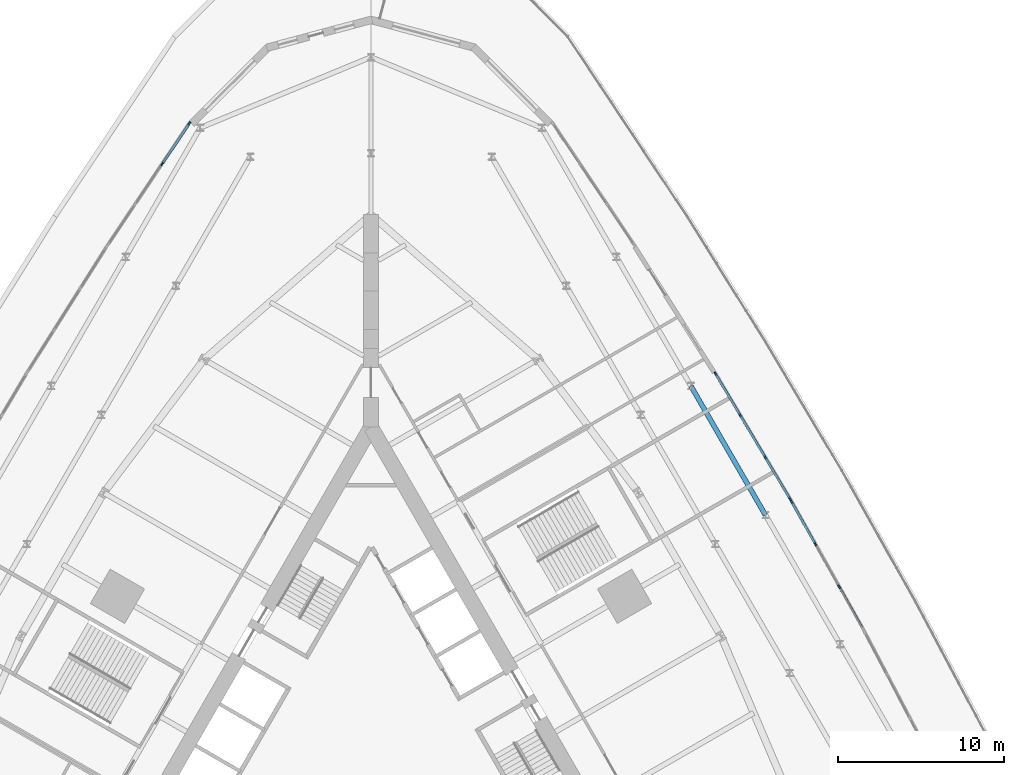
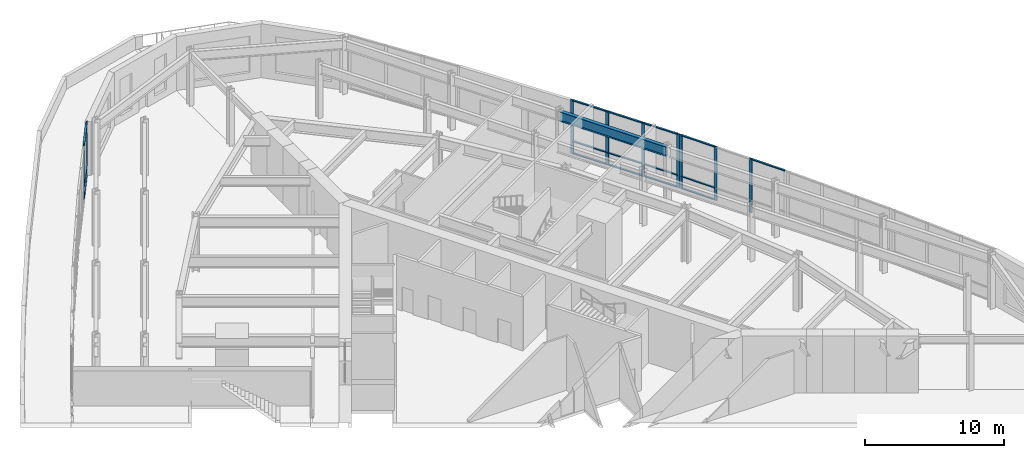
# One storey, part 8 of 20: 25 members, 1 beam, 3 elements without a shape of their own.
"""IFC4 building model written with IfcOpenShell, lengths in metres."""

from ifc_helpers import new_model, si_unit, direction, frame, origin, origin_2d, place, context, subcontext, project, spatial, rectangle, i_section, extrude, material, material_profile, profile_set, type_object, element, aggregate, save


model = new_model("IFC4")

# Units and contexts
model_context = context("Model", 3, precision=1e-05, world=origin(), true_north=direction((0.0, 1.0)))
body_context = subcontext(model_context, "Body", "Model", "MODEL_VIEW")
ifc_project = project(units=[si_unit("LENGTHUNIT", "METRE"), si_unit("AREAUNIT", "SQUARE_METRE"), si_unit("VOLUMEUNIT", "CUBIC_METRE"), si_unit("PLANEANGLEUNIT", "RADIAN"), si_unit("MASSUNIT", "GRAM", prefix="KILO")], contexts=[model_context])

# Site, building, storey
site_placement = place(None, origin())
site = spatial("IfcSite", under=ifc_project, at=site_placement, CompositionType="ELEMENT")
building_placement = place(site_placement, origin())
building = spatial("IfcBuilding", under=site, at=building_placement, Name="Trikona Tower", CompositionType="ELEMENT")
storey_placement = place(building_placement, frame((0.0, 0.0, 6.0)))
storey = spatial("IfcBuildingStorey", under=building, at=storey_placement, Name="L01", CompositionType="ELEMENT", Elevation=6.0)

# Curtain wall, members
ifc_material_1 = material(Name="Aluminium curtain wall system", Category="aluminium")
curtain_wall_type = type_object("IfcCurtainWallType", Name="Curtain wall PD", PredefinedType="NOTDEFINED", material=ifc_material_1)
curtain_wall_1_placement = place(storey_placement, origin())
curtain_wall_1 = element("IfcCurtainWall", 1, at=curtain_wall_1_placement, inside=storey, type_object=curtain_wall_type, Name="Curtain wall PD L01", PredefinedType="NOTDEFINED")
ifc_material_2 = material(Name="Aluminium mullion, pale anodised", Category="aluminium")
ifc_material_profile_1 = material_profile(ifc_material_2, rectangle(XDim=0.090087890625, YDim=0.25, at=origin_2d()), Name="MUL-PD")
ifc_profile_set_1 = profile_set([ifc_material_profile_1], Name="Aluminium mullion, pale anodised")
member_type_1 = type_object("IfcMemberType", Name="Mullion PD 90x250", PredefinedType="MULLION", material=ifc_profile_set_1)
member_1_placement = place(storey_placement, frame((28.26904296875, 9.41748046875, 0.0), z_axis=(0.0, 0.0, 1.0), x_axis=(-0.872612562908, -0.488413057825, 0.0)))
member_1 = element("IfcMember", 2, at=member_1_placement, type_object=member_type_1, Name="CW-PD mullion 2", PredefinedType="MULLION", context=body_context, shape_type="SweptSolid", body=[
    extrude(rectangle(XDim=0.090087890625, YDim=0.25, at=origin_2d()), origin(), (0.0, 0.0, 1.0), 4.75),
])
member_2_placement = place(storey_placement, frame((26.8232421875, 12.000732421875, 0.0), z_axis=(0.0, 0.0, 1.0), x_axis=(-0.872612562908, -0.488413057825, 0.0)))
member_2 = element("IfcMember", 3, at=member_2_placement, type_object=member_type_1, Name="CW-PD mullion 3", PredefinedType="MULLION", context=body_context, shape_type="SweptSolid", body=[
    extrude(rectangle(XDim=0.090087890625, YDim=0.25, at=origin_2d()), origin(), (0.0, 0.0, 1.0), 4.75),
])
member_3_placement = place(storey_placement, frame((25.399169921875, 14.544677734375, 0.0), z_axis=(0.0, 0.0, 1.0), x_axis=(-0.872612562908, -0.488413057825, 0.0)))
member_3 = element("IfcMember", 4, at=member_3_placement, type_object=member_type_1, Name="CW-PD mullion 4", PredefinedType="MULLION", context=body_context, shape_type="SweptSolid", body=[
    extrude(rectangle(XDim=0.090087890625, YDim=0.25, at=origin_2d()), origin(), (0.0, 0.0, 1.0), 4.75),
])

curtain_wall_2_placement = place(storey_placement, origin())
curtain_wall_2 = element("IfcCurtainWall", 5, at=curtain_wall_2_placement, inside=storey, type_object=curtain_wall_type, Name="Curtain wall PD L01", PredefinedType="NOTDEFINED")
member_4_placement = place(storey_placement, frame((25.295654296875, 14.72412109375, 0.0), z_axis=(0.0, 0.0, 1.0), x_axis=(-0.859284046673, -0.511498706873, 0.0)))
member_4 = element("IfcMember", 6, at=member_4_placement, type_object=member_type_1, Name="CW-PD mullion 1", PredefinedType="MULLION", context=body_context, shape_type="SweptSolid", body=[
    extrude(rectangle(XDim=0.090087890625, YDim=0.25, at=origin_2d()), origin(), (0.0, 0.0, 1.0), 4.75),
])
member_5_placement = place(storey_placement, frame((23.804443359375, 17.229248046875, 0.0), z_axis=(0.0, 0.0, 1.0), x_axis=(-0.859284046673, -0.511498706873, 0.0)))
member_5 = element("IfcMember", 7, at=member_5_placement, type_object=member_type_1, Name="CW-PD mullion 2", PredefinedType="MULLION", context=body_context, shape_type="SweptSolid", body=[
    extrude(rectangle(XDim=0.090087890625, YDim=0.25, at=origin_2d()), origin(), (0.0, 0.0, 1.0), 4.75),
])
member_6_placement = place(storey_placement, frame((22.290283203125, 19.77294921875, 0.0), z_axis=(0.0, 0.0, 1.0), x_axis=(-0.859284046673, -0.511498706873, 0.0)))
member_6 = element("IfcMember", 8, at=member_6_placement, type_object=member_type_1, Name="CW-PD mullion 3", PredefinedType="MULLION", context=body_context, shape_type="SweptSolid", body=[
    extrude(rectangle(XDim=0.090087890625, YDim=0.25, at=origin_2d()), origin(), (0.0, 0.0, 1.0), 4.75),
])
member_7_placement = place(storey_placement, frame((20.79931640625, 22.27783203125, 0.0), z_axis=(0.0, 0.0, 1.0), x_axis=(-0.859284046673, -0.511498706873, 0.0)))
member_7 = element("IfcMember", 9, at=member_7_placement, type_object=member_type_1, Name="CW-PD mullion 4", PredefinedType="MULLION", context=body_context, shape_type="SweptSolid", body=[
    extrude(rectangle(XDim=0.090087890625, YDim=0.25, at=origin_2d()), origin(), (0.0, 0.0, 1.0), 4.75),
])

curtain_wall_3_placement = place(storey_placement, origin())
curtain_wall_3 = element("IfcCurtainWall", 10, at=curtain_wall_3_placement, inside=storey, type_object=curtain_wall_type, Name="Curtain wall PD L01", PredefinedType="NOTDEFINED")
member_8_placement = place(storey_placement, frame((-10.975341796875, 37.385009765625, 0.0), z_axis=(0.0, 0.0, 1.0), x_axis=(0.830852165155, -0.556493198213, 0.0)))
member_8 = element("IfcMember", 11, at=member_8_placement, type_object=member_type_1, Name="CW-PD mullion 1", PredefinedType="MULLION", context=body_context, shape_type="SweptSolid", body=[
    extrude(rectangle(XDim=0.090087890625, YDim=0.25, at=origin_2d()), origin(), (0.0, 0.0, 1.0), 4.75),
])
member_9_placement = place(storey_placement, frame((-12.601318359375, 34.95751953125, 0.0), z_axis=(0.0, 0.0, 1.0), x_axis=(0.830852165155, -0.556493198213, 0.0)))
member_9 = element("IfcMember", 12, at=member_9_placement, type_object=member_type_1, Name="CW-PD mullion 2", PredefinedType="MULLION", context=body_context, shape_type="SweptSolid", body=[
    extrude(rectangle(XDim=0.090087890625, YDim=0.25, at=origin_2d()), origin(), (0.0, 0.0, 1.0), 4.75),
])

# Beam
ifc_material_3 = material(Name="Steel ASTM A992 Grade 50", Category="steel")
ifc_material_profile_2 = material_profile(ifc_material_3, i_section(OverallWidth=0.2919921875, OverallDepth=0.845703125, WebThickness=0.015380859375, FlangeThickness=0.0244140625, at=origin_2d()), Name="W33X141")
ifc_profile_set_2 = profile_set([ifc_material_profile_2], Name="Steel ASTM A992 Grade 50")
beam_type = type_object("IfcBeamType", Name="Steel beam W33x141 (pod girder)", PredefinedType="BEAM", material=ifc_profile_set_2)
beam_placement = place(storey_placement, frame((23.815673828125, 13.75, 4.3271484375), z_axis=(-0.5000018851, 0.866024315419, 0.0), x_axis=(-0.866024315419, -0.5000018851, 0.0)))
element("IfcBeam", 13, at=beam_placement, inside=storey, type_object=beam_type, Name="Podium beam L02 GR27.5F1p0-R27.5F1p9", PredefinedType="BEAM", context=body_context, shape_type="SweptSolid", body=[
    extrude(i_section(OverallWidth=0.2919921875, OverallDepth=0.845703125, WebThickness=0.015380859375, FlangeThickness=0.0244140625, at=origin_2d()), origin(), (0.0, 0.0, 1.0), 9.0),
])

# Member
ifc_material_4 = material(Name="Aluminium transom, pale anodised", Category="aluminium")
ifc_material_profile_3 = material_profile(ifc_material_4, rectangle(XDim=0.14990234375, YDim=0.090087890625, at=origin_2d()), Name="TRN-PD")
ifc_profile_set_3 = profile_set([ifc_material_profile_3], Name="Aluminium transom, pale anodised")
member_type_2 = type_object("IfcMemberType", Name="Transom PD 90x150", PredefinedType="USERDEFINED", material=ifc_profile_set_3)
member_10_placement = place(storey_placement, frame((29.6708984375, 6.912841796875, 4.705078125), z_axis=(-0.48837707133, 0.872632704062, 0.0), x_axis=(-0.872632704062, -0.48837707133, 0.0)))
member_10 = element("IfcMember", 14, at=member_10_placement, type_object=member_type_2, Name="CW-PD transom 1.3", ObjectType="TRANSOM", PredefinedType="USERDEFINED", context=body_context, shape_type="SweptSolid", body=[
    extrude(rectangle(XDim=0.14990234375, YDim=0.090087890625, at=origin_2d()), origin(), (0.0, 0.0, 1.0), 2.825439453125),
])

member_11_placement = place(storey_placement, frame((26.80126953125, 12.0400390625, 0.044921875), z_axis=(-0.488479694628, 0.872575262047, 0.0), x_axis=(-0.872575262047, -0.488479694628, 0.0)))
member_11 = element("IfcMember", 15, at=member_11_placement, type_object=member_type_2, Name="CW-PD transom 3.1", ObjectType="TRANSOM", PredefinedType="USERDEFINED", context=body_context, shape_type="SweptSolid", body=[
    extrude(rectangle(XDim=0.14990234375, YDim=0.090087890625, at=origin_2d()), origin(), (0.0, 0.0, 1.0), 2.825439453125),
])

member_12_placement = place(storey_placement, frame((26.80126953125, 12.0400390625, 1.10009765625), z_axis=(-0.488479694628, 0.872575262047, 0.0), x_axis=(-0.872575262047, -0.488479694628, 0.0)))
member_12 = element("IfcMember", 16, at=member_12_placement, type_object=member_type_2, Name="CW-PD transom 3.2", ObjectType="TRANSOM", PredefinedType="USERDEFINED", context=body_context, shape_type="SweptSolid", body=[
    extrude(rectangle(XDim=0.14990234375, YDim=0.090087890625, at=origin_2d()), origin(), (0.0, 0.0, 1.0), 2.825439453125),
])

member_13_placement = place(storey_placement, frame((26.80126953125, 12.0400390625, 4.705078125), z_axis=(-0.488479694628, 0.872575262047, 0.0), x_axis=(-0.872575262047, -0.488479694628, 0.0)))
member_13 = element("IfcMember", 17, at=member_13_placement, type_object=member_type_2, Name="CW-PD transom 3.3", ObjectType="TRANSOM", PredefinedType="USERDEFINED", context=body_context, shape_type="SweptSolid", body=[
    extrude(rectangle(XDim=0.14990234375, YDim=0.090087890625, at=origin_2d()), origin(), (0.0, 0.0, 1.0), 2.825439453125),
])

aggregate(curtain_wall_1, [member_1, member_2, member_3, member_10, member_11, member_12, member_13])

member_14_placement = place(storey_placement, frame((25.272705078125, 14.762939453125, 0.044921875), z_axis=(-0.511518803475, 0.859272083621, 0.0), x_axis=(-0.859272083621, -0.511518803475, 0.0)))
member_14 = element("IfcMember", 18, at=member_14_placement, type_object=member_type_2, Name="CW-PD transom 1.1", ObjectType="TRANSOM", PredefinedType="USERDEFINED", context=body_context, shape_type="SweptSolid", body=[
    extrude(rectangle(XDim=0.14990234375, YDim=0.090087890625, at=origin_2d()), origin(), (0.0, 0.0, 1.0), 2.824951171875),
])

member_15_placement = place(storey_placement, frame((25.272705078125, 14.762939453125, 1.10009765625), z_axis=(-0.511518803475, 0.859272083621, 0.0), x_axis=(-0.859272083621, -0.511518803475, 0.0)))
member_15 = element("IfcMember", 19, at=member_15_placement, type_object=member_type_2, Name="CW-PD transom 1.2", ObjectType="TRANSOM", PredefinedType="USERDEFINED", context=body_context, shape_type="SweptSolid", body=[
    extrude(rectangle(XDim=0.14990234375, YDim=0.090087890625, at=origin_2d()), origin(), (0.0, 0.0, 1.0), 2.824951171875),
])

member_16_placement = place(storey_placement, frame((25.272705078125, 14.762939453125, 4.705078125), z_axis=(-0.511518803475, 0.859272083621, 0.0), x_axis=(-0.859272083621, -0.511518803475, 0.0)))
member_16 = element("IfcMember", 20, at=member_16_placement, type_object=member_type_2, Name="CW-PD transom 1.3", ObjectType="TRANSOM", PredefinedType="USERDEFINED", context=body_context, shape_type="SweptSolid", body=[
    extrude(rectangle(XDim=0.14990234375, YDim=0.090087890625, at=origin_2d()), origin(), (0.0, 0.0, 1.0), 2.824951171875),
])

member_17_placement = place(storey_placement, frame((23.781494140625, 17.267822265625, 0.044921875), z_axis=(-0.511477877998, 0.859296444959, 0.0), x_axis=(-0.859296444959, -0.511477877998, 0.0)))
member_17 = element("IfcMember", 21, at=member_17_placement, type_object=member_type_2, Name="CW-PD transom 2.1", ObjectType="TRANSOM", PredefinedType="USERDEFINED", context=body_context, shape_type="SweptSolid", body=[
    extrude(rectangle(XDim=0.14990234375, YDim=0.090087890625, at=origin_2d()), origin(), (0.0, 0.0, 1.0), 2.8701171875),
])

member_18_placement = place(storey_placement, frame((23.781494140625, 17.267822265625, 1.10009765625), z_axis=(-0.511477877998, 0.859296444959, 0.0), x_axis=(-0.859296444959, -0.511477877998, 0.0)))
member_18 = element("IfcMember", 22, at=member_18_placement, type_object=member_type_2, Name="CW-PD transom 2.2", ObjectType="TRANSOM", PredefinedType="USERDEFINED", context=body_context, shape_type="SweptSolid", body=[
    extrude(rectangle(XDim=0.14990234375, YDim=0.090087890625, at=origin_2d()), origin(), (0.0, 0.0, 1.0), 2.8701171875),
])

member_19_placement = place(storey_placement, frame((23.781494140625, 17.267822265625, 4.705078125), z_axis=(-0.511477877998, 0.859296444959, 0.0), x_axis=(-0.859296444959, -0.511477877998, 0.0)))
member_19 = element("IfcMember", 23, at=member_19_placement, type_object=member_type_2, Name="CW-PD transom 2.3", ObjectType="TRANSOM", PredefinedType="USERDEFINED", context=body_context, shape_type="SweptSolid", body=[
    extrude(rectangle(XDim=0.14990234375, YDim=0.090087890625, at=origin_2d()), origin(), (0.0, 0.0, 1.0), 2.8701171875),
])

member_20_placement = place(storey_placement, frame((22.267333984375, 19.8115234375, 0.044921875), z_axis=(-0.51148082137, 0.859294692972, 0.0), x_axis=(-0.859294692972, -0.51148082137, 0.0)))
member_20 = element("IfcMember", 24, at=member_20_placement, type_object=member_type_2, Name="CW-PD transom 3.1", ObjectType="TRANSOM", PredefinedType="USERDEFINED", context=body_context, shape_type="SweptSolid", body=[
    extrude(rectangle(XDim=0.14990234375, YDim=0.090087890625, at=origin_2d()), origin(), (0.0, 0.0, 1.0), 2.8251953125),
])

member_21_placement = place(storey_placement, frame((22.267333984375, 19.8115234375, 1.10009765625), z_axis=(-0.51148082137, 0.859294692972, 0.0), x_axis=(-0.859294692972, -0.51148082137, 0.0)))
member_21 = element("IfcMember", 25, at=member_21_placement, type_object=member_type_2, Name="CW-PD transom 3.2", ObjectType="TRANSOM", PredefinedType="USERDEFINED", context=body_context, shape_type="SweptSolid", body=[
    extrude(rectangle(XDim=0.14990234375, YDim=0.090087890625, at=origin_2d()), origin(), (0.0, 0.0, 1.0), 2.8251953125),
])

member_22_placement = place(storey_placement, frame((22.267333984375, 19.8115234375, 4.705078125), z_axis=(-0.51148082137, 0.859294692972, 0.0), x_axis=(-0.859294692972, -0.51148082137, 0.0)))
member_22 = element("IfcMember", 26, at=member_22_placement, type_object=member_type_2, Name="CW-PD transom 3.3", ObjectType="TRANSOM", PredefinedType="USERDEFINED", context=body_context, shape_type="SweptSolid", body=[
    extrude(rectangle(XDim=0.14990234375, YDim=0.090087890625, at=origin_2d()), origin(), (0.0, 0.0, 1.0), 2.8251953125),
])

aggregate(curtain_wall_2, [member_4, member_5, member_6, member_7, member_14, member_15, member_16, member_17, member_18, member_19, member_20, member_21, member_22])

member_23_placement = place(storey_placement, frame((-11.00048828125, 37.347412109375, 0.044921875), z_axis=(-0.556489717674, -0.830854496361, 0.0), x_axis=(0.830854496361, -0.556489717674, 0.0)))
member_23 = element("IfcMember", 27, at=member_23_placement, type_object=member_type_2, Name="CW-PD transom 1.1", ObjectType="TRANSOM", PredefinedType="USERDEFINED", context=body_context, shape_type="SweptSolid", body=[
    extrude(rectangle(XDim=0.14990234375, YDim=0.090087890625, at=origin_2d()), origin(), (0.0, 0.0, 1.0), 2.83154296875),
])

member_24_placement = place(storey_placement, frame((-11.00048828125, 37.347412109375, 1.10009765625), z_axis=(-0.556489717674, -0.830854496361, 0.0), x_axis=(0.830854496361, -0.556489717674, 0.0)))
member_24 = element("IfcMember", 28, at=member_24_placement, type_object=member_type_2, Name="CW-PD transom 1.2", ObjectType="TRANSOM", PredefinedType="USERDEFINED", context=body_context, shape_type="SweptSolid", body=[
    extrude(rectangle(XDim=0.14990234375, YDim=0.090087890625, at=origin_2d()), origin(), (0.0, 0.0, 1.0), 2.83154296875),
])

member_25_placement = place(storey_placement, frame((-11.00048828125, 37.347412109375, 4.705078125), z_axis=(-0.556489717674, -0.830854496361, 0.0), x_axis=(0.830854496361, -0.556489717674, 0.0)))
member_25 = element("IfcMember", 29, at=member_25_placement, type_object=member_type_2, Name="CW-PD transom 1.3", ObjectType="TRANSOM", PredefinedType="USERDEFINED", context=body_context, shape_type="SweptSolid", body=[
    extrude(rectangle(XDim=0.14990234375, YDim=0.090087890625, at=origin_2d()), origin(), (0.0, 0.0, 1.0), 2.83154296875),
])

aggregate(curtain_wall_3, [member_8, member_9, member_23, member_24, member_25])

save(model, "model.ifc")
